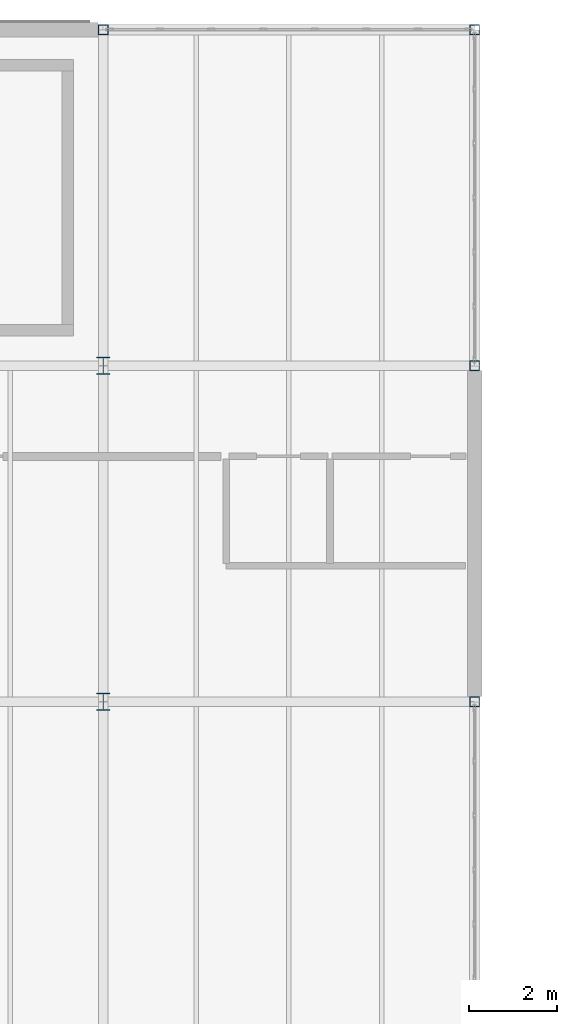
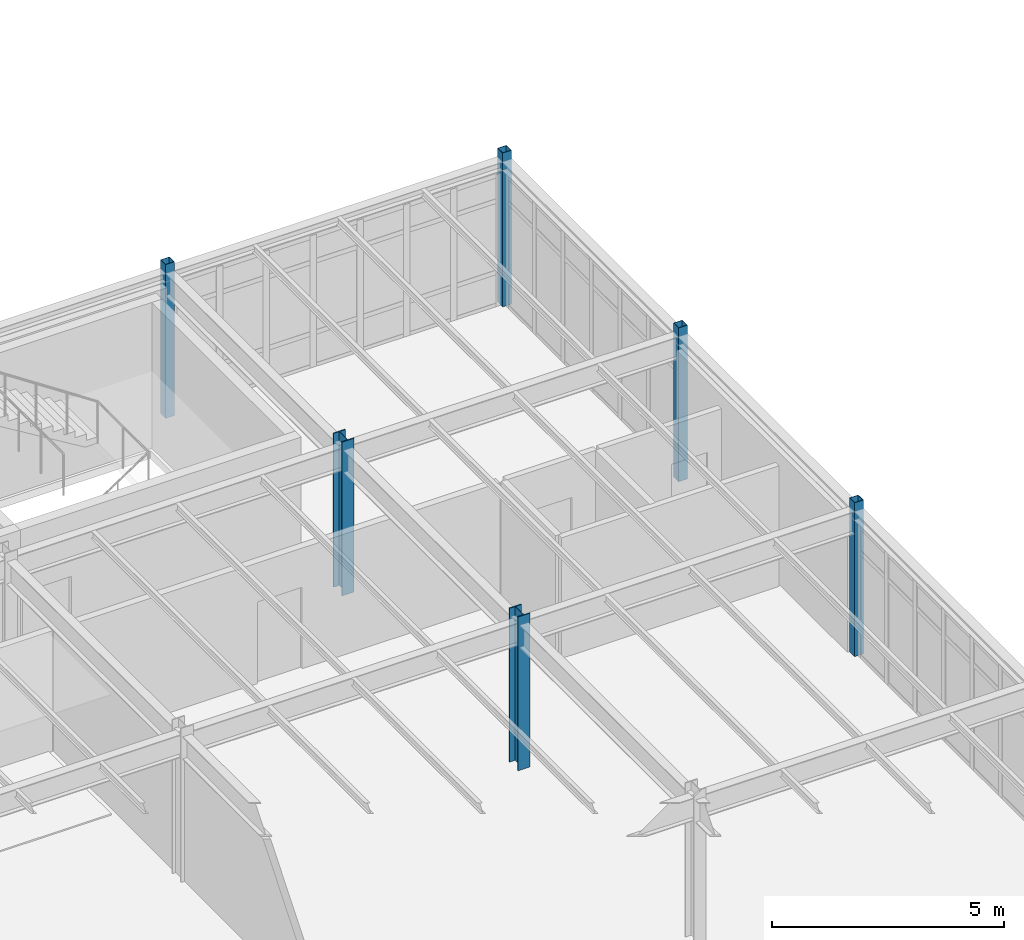
# One storey, part 12 of 114: 6 columns.
"""IFC4 building model written with IfcOpenShell, lengths in metres."""

from ifc_helpers import new_model, si_unit, direction, frame, origin, origin_2d, place, context, subcontext, project, spatial, hollow_rectangle, i_section, extrude, material, material_profile, profile_set, type_object, element, save


model = new_model("IFC4")

# Units and contexts
model_context = context("Model", 3, precision=1e-05, world=origin(), true_north=direction((0.0, 1.0)))
body_context = subcontext(model_context, "Body", "Model", "MODEL_VIEW")
ifc_project = project(units=[si_unit("LENGTHUNIT", "METRE"), si_unit("AREAUNIT", "SQUARE_METRE"), si_unit("VOLUMEUNIT", "CUBIC_METRE"), si_unit("PLANEANGLEUNIT", "RADIAN"), si_unit("MASSUNIT", "GRAM", prefix="KILO")], contexts=[model_context])

# Site, building, storey
site_placement = place(None, origin())
site = spatial("IfcSite", under=ifc_project, at=site_placement, CompositionType="ELEMENT")
building_placement = place(site_placement, origin())
building = spatial("IfcBuilding", under=site, at=building_placement, Name="Montecoro Central Library", CompositionType="ELEMENT")
storey_placement = place(building_placement, frame((0.0, 0.0, 13.260009765625)))
storey = spatial("IfcBuildingStorey", under=building, at=storey_placement, Name="L03", CompositionType="ELEMENT", Elevation=13.260009765625)

# Columns
ifc_material = material(Name="Steel S355", Category="steel")
ifc_material_profile_1 = material_profile(ifc_material, i_section(OverallWidth=0.300048828125, OverallDepth=0.39990234375, WebThickness=0.013427734375, FlangeThickness=0.02392578125, at=origin_2d()), Name="HEB 400")
ifc_profile_set_1 = profile_set([ifc_material_profile_1], Name="Steel S355")
column_type_1 = type_object("IfcColumnType", Name="COL-HEB400", PredefinedType="COLUMN", material=ifc_profile_set_1)
for number, where, z_axis, x_axis, name in (
    (1, (108.39990234375, 103.800048828125, 0.0), (0.0, 0.0, 1.0), (1.0, 0.0, 0.0), "V2-L03-COL-14-P"),
    (2, (108.39990234375, 111.39990234375, 0.0), (0.0, 0.0, 1.0), (1.0, 0.0, 0.0), "V2-L03-COL-14-Q"),
):
    element("IfcColumn", number, at=place(storey_placement, frame(where, z_axis=z_axis, x_axis=x_axis)), inside=storey, type_object=column_type_1, Name=name, PredefinedType="COLUMN", context=body_context, shape_type="SweptSolid", body=[
        extrude(i_section(OverallWidth=0.300048828125, OverallDepth=0.39990234375, WebThickness=0.013427734375, FlangeThickness=0.02392578125, at=origin_2d()), origin(), (0.0, 0.0, 1.0), 4.054931640625),
    ])
ifc_material_profile_2 = material_profile(ifc_material, hollow_rectangle(XDim=0.219970703125, YDim=0.219970703125, WallThickness=0.010009765625, at=origin_2d()), Name="SHS 220x220x10.0")
ifc_profile_set_2 = profile_set([ifc_material_profile_2], Name="Steel S355")
column_type_2 = type_object("IfcColumnType", Name="COL-SHS220", PredefinedType="COLUMN", material=ifc_profile_set_2)
for number, where, z_axis, x_axis, name in (
    (3, (108.39990234375, 119.0, 0.0), (0.0, 0.0, 1.0), (1.0, 0.0, 0.0), "V2-L03-COL-14-R"),
    (4, (116.800048828125, 103.800048828125, 0.0), (0.0, 0.0, 1.0), (1.0, 0.0, 0.0), "V2-L03-COL-15-P"),
    (5, (116.800048828125, 111.39990234375, 0.0), (0.0, 0.0, 1.0), (1.0, 0.0, 0.0), "V2-L03-COL-15-Q"),
    (6, (116.800048828125, 119.0, 0.0), (0.0, 0.0, 1.0), (1.0, 0.0, 0.0), "V2-L03-COL-15-R"),
):
    element("IfcColumn", number, at=place(storey_placement, frame(where, z_axis=z_axis, x_axis=x_axis)), inside=storey, type_object=column_type_2, Name=name, PredefinedType="COLUMN", context=body_context, shape_type="SweptSolid", body=[
        extrude(hollow_rectangle(XDim=0.219970703125, YDim=0.219970703125, WallThickness=0.010009765625, at=origin_2d()), origin(), (0.0, 0.0, 1.0), 4.054931640625),
    ])

save(model, "model.ifc")
